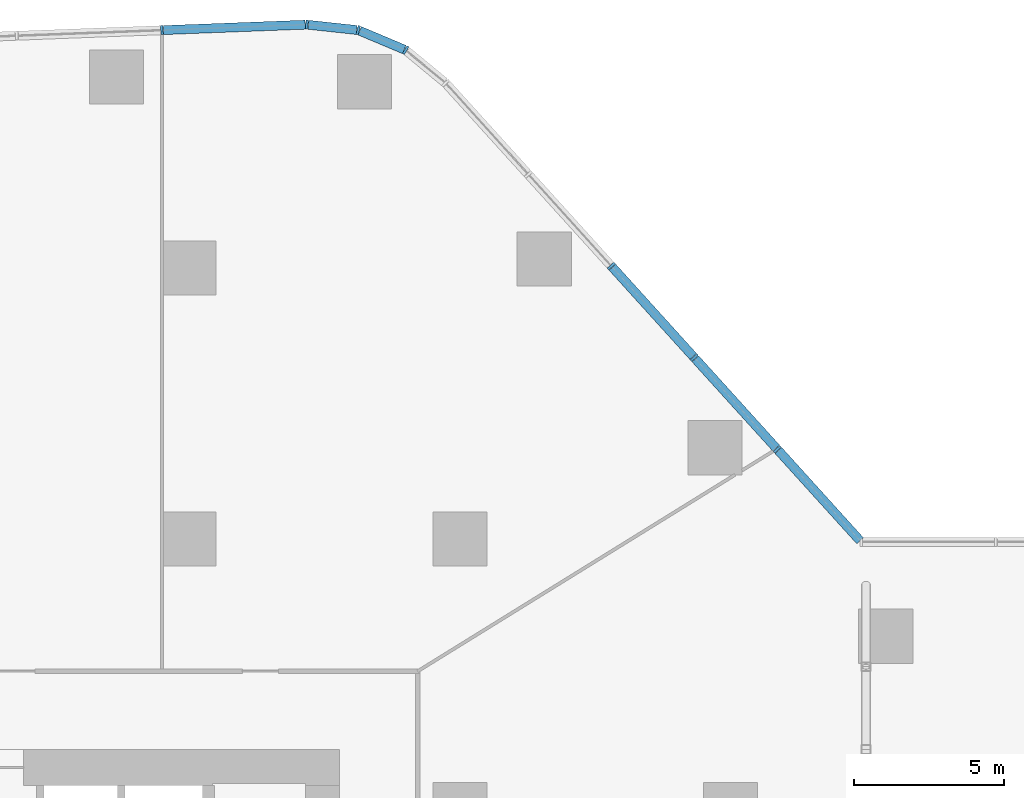
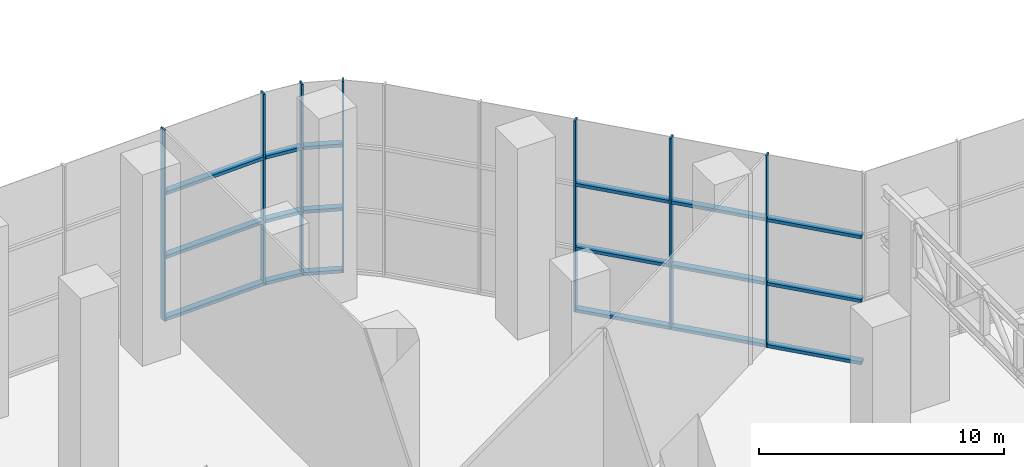
# One storey, part 10 of 21: 25 members, 3 elements without a shape of their own.
"""IFC4 building model written with IfcOpenShell, lengths in metres."""

from ifc_helpers import new_model, si_unit, direction, frame, origin, origin_2d, place, context, subcontext, project, spatial, rectangle, extrude, material, layer, layer_set, material_profile, profile_set, type_object, element, aggregate, save


model = new_model("IFC4")

# Units and contexts
model_context = context("Model", 3, precision=1e-05, world=origin(), true_north=direction((0.0, 1.0)))
body_context = subcontext(model_context, "Body", "Model", "MODEL_VIEW")
ifc_project = project(units=[si_unit("LENGTHUNIT", "METRE"), si_unit("AREAUNIT", "SQUARE_METRE"), si_unit("VOLUMEUNIT", "CUBIC_METRE"), si_unit("PLANEANGLEUNIT", "RADIAN"), si_unit("MASSUNIT", "GRAM", prefix="KILO")], contexts=[model_context])

# Site, building, storey
site_placement = place(None, origin())
site = spatial("IfcSite", under=ifc_project, at=site_placement, CompositionType="ELEMENT")
building_placement = place(site_placement, origin())
building = spatial("IfcBuilding", under=site, at=building_placement, Name="Dongbaek Canopy Tower", CompositionType="ELEMENT")
storey_placement = place(building_placement, frame((0.0, 0.0, 9.0)))
storey = spatial("IfcBuildingStorey", under=building, at=storey_placement, Name="L01", CompositionType="ELEMENT", Elevation=9.0)

# Curtain wall, members
ifc_material_1 = material(Name="Aluminium 6063-T6 pale anodised", Category="aluminium")
ifc_layer = layer(ifc_material_1, 0.300048828125)
ifc_layer_set = layer_set([ifc_layer], Name="CW-2 podium hall curtain wall")
curtain_wall_type = type_object("IfcCurtainWallType", Name="CW-2 podium hall curtain wall", PredefinedType="NOTDEFINED", material=ifc_layer_set)
curtain_wall_1_placement = place(storey_placement, origin())
curtain_wall_1 = element("IfcCurtainWall", 1, at=curtain_wall_1_placement, inside=storey, type_object=curtain_wall_type, Name="CW-2 curtain wall F5.1", PredefinedType="NOTDEFINED")
ifc_material_2 = material(Name="Aluminium 6063-T6 pale anodised", Category="aluminium")
ifc_material_profile_1 = material_profile(ifc_material_2, rectangle(XDim=0.300048828125, YDim=0.080078125, at=origin_2d()), Name="CW-2 mullion 80 x 300")
ifc_profile_set_1 = profile_set([ifc_material_profile_1], Name="Aluminium 6063-T6 pale anodised")
member_type_1 = type_object("IfcMemberType", Name="CW-2 mullion 80 x 300", PredefinedType="MULLION", material=ifc_profile_set_1)
member_1_placement = place(storey_placement, frame((28.55126953125, 20.977783203125, 0.0), z_axis=(0.0, 0.0, 1.0), x_axis=(0.741222237121, 0.671259707711, 0.0)))
member_1 = element("IfcMember", 2, at=member_1_placement, type_object=member_type_1, Name="CW-2 mullion F5.1.2", PredefinedType="MULLION", context=body_context, shape_type="SweptSolid", body=[
    extrude(rectangle(XDim=0.300048828125, YDim=0.080078125, at=origin_2d()), origin(), (0.0, 0.0, 1.0), 9.550048828125),
])
member_2_placement = place(storey_placement, frame((25.793701171875, 24.022705078125, 0.0), z_axis=(0.0, 0.0, 1.0), x_axis=(0.741222237121, 0.671259707711, 0.0)))
member_2 = element("IfcMember", 3, at=member_2_placement, type_object=member_type_1, Name="CW-2 mullion F5.1.3", PredefinedType="MULLION", context=body_context, shape_type="SweptSolid", body=[
    extrude(rectangle(XDim=0.300048828125, YDim=0.080078125, at=origin_2d()), origin(), (0.0, 0.0, 1.0), 9.550048828125),
])
member_3_placement = place(storey_placement, frame((23.036376953125, 27.0673828125, 0.0), z_axis=(0.0, 0.0, 1.0), x_axis=(0.741222237121, 0.671259707711, 0.0)))
member_3 = element("IfcMember", 4, at=member_3_placement, type_object=member_type_1, Name="CW-2 mullion F5.1.4", PredefinedType="MULLION", context=body_context, shape_type="SweptSolid", body=[
    extrude(rectangle(XDim=0.300048828125, YDim=0.080078125, at=origin_2d()), origin(), (0.0, 0.0, 1.0), 9.550048828125),
])

curtain_wall_2_placement = place(storey_placement, origin())
curtain_wall_2 = element("IfcCurtainWall", 5, at=curtain_wall_2_placement, inside=storey, type_object=curtain_wall_type, Name="CW-2 curtain wall K1.1", PredefinedType="NOTDEFINED")
member_4_placement = place(storey_placement, frame((16.200439453125, 34.24462890625, 0.0), z_axis=(0.0, 0.0, 1.0), x_axis=(0.517430788753, 0.855725060315, 0.0)))
member_4 = element("IfcMember", 6, at=member_4_placement, type_object=member_type_1, Name="CW-2 mullion K1.1.2", PredefinedType="MULLION", context=body_context, shape_type="SweptSolid", body=[
    extrude(rectangle(XDim=0.300048828125, YDim=0.080078125, at=origin_2d()), origin(), (0.0, 0.0, 1.0), 9.550048828125),
])
member_5_placement = place(storey_placement, frame((14.62353515625, 34.908203125, 0.0), z_axis=(0.0, 0.0, 1.0), x_axis=(0.250118115276, 0.968215331634, 0.0)))
member_5 = element("IfcMember", 7, at=member_5_placement, type_object=member_type_1, Name="CW-2 mullion K1.1.3", PredefinedType="MULLION", context=body_context, shape_type="SweptSolid", body=[
    extrude(rectangle(XDim=0.300048828125, YDim=0.080078125, at=origin_2d()), origin(), (0.0, 0.0, 1.0), 9.550048828125),
])
member_6_placement = place(storey_placement, frame((12.915283203125, 35.092041015625, 0.0), z_axis=(0.0, 0.0, 1.0), x_axis=(0.107074580622, 0.994250991543, 0.0)))
member_6 = element("IfcMember", 8, at=member_6_placement, type_object=member_type_1, Name="CW-2 mullion K1.1.4", PredefinedType="MULLION", context=body_context, shape_type="SweptSolid", body=[
    extrude(rectangle(XDim=0.300048828125, YDim=0.080078125, at=origin_2d()), origin(), (0.0, 0.0, 1.0), 9.550048828125),
])

# Curtain wall, member
curtain_wall_3_placement = place(storey_placement, origin())
curtain_wall_3 = element("IfcCurtainWall", 9, at=curtain_wall_3_placement, inside=storey, type_object=curtain_wall_type, Name="CW-2 curtain wall F6.1", PredefinedType="NOTDEFINED")
member_7_placement = place(storey_placement, frame((8.0986328125, 34.907958984375, 0.0), z_axis=(0.0, 0.0, 1.0), x_axis=(-0.038231975991, 0.999268890746, 0.0)))
member_7 = element("IfcMember", 10, at=member_7_placement, type_object=member_type_1, Name="CW-2 mullion F6.1.2", PredefinedType="MULLION", context=body_context, shape_type="SweptSolid", body=[
    extrude(rectangle(XDim=0.300048828125, YDim=0.080078125, at=origin_2d()), origin(), (0.0, 0.0, 1.0), 9.550048828125),
])

# Member
ifc_material_3 = material(Name="Aluminium 6063-T6 pale anodised", Category="aluminium")
ifc_material_profile_2 = material_profile(ifc_material_3, rectangle(XDim=0.300048828125, YDim=0.159912109375, at=origin_2d()), Name="CW-2 transom 160 x 300")
ifc_profile_set_2 = profile_set([ifc_material_profile_2], Name="Aluminium 6063-T6 pale anodised")
member_type_2 = type_object("IfcMemberType", Name="CW-2 transom 160 x 300", PredefinedType="USERDEFINED", material=ifc_profile_set_2)
member_8_placement = place(storey_placement, frame((31.303466796875, 17.9384765625, 0.080078125), z_axis=(-0.671230670319, 0.741248532695, 0.0), x_axis=(-0.741248532695, -0.671230670319, 0.0)))
member_8 = element("IfcMember", 11, at=member_8_placement, type_object=member_type_2, Name="CW-2 transom F5.1.1.1", ObjectType="TRANSOM", PredefinedType="USERDEFINED", context=body_context, shape_type="SweptSolid", body=[
    extrude(rectangle(XDim=0.300048828125, YDim=0.159912109375, at=origin_2d()), origin(), (0.0, 0.0, 1.0), 4.048095703125),
])

member_9_placement = place(storey_placement, frame((31.303466796875, 17.9384765625, 3.183349609375), z_axis=(-0.671230670319, 0.741248532695, 0.0), x_axis=(-0.741248532695, -0.671230670319, 0.0)))
member_9 = element("IfcMember", 12, at=member_9_placement, type_object=member_type_2, Name="CW-2 transom F5.1.1.2", ObjectType="TRANSOM", PredefinedType="USERDEFINED", context=body_context, shape_type="SweptSolid", body=[
    extrude(rectangle(XDim=0.300048828125, YDim=0.159912109375, at=origin_2d()), origin(), (0.0, 0.0, 1.0), 4.048095703125),
])

member_10_placement = place(storey_placement, frame((31.303466796875, 17.9384765625, 6.36669921875), z_axis=(-0.671230670319, 0.741248532695, 0.0), x_axis=(-0.741248532695, -0.671230670319, 0.0)))
member_10 = element("IfcMember", 13, at=member_10_placement, type_object=member_type_2, Name="CW-2 transom F5.1.1.3", ObjectType="TRANSOM", PredefinedType="USERDEFINED", context=body_context, shape_type="SweptSolid", body=[
    extrude(rectangle(XDim=0.300048828125, YDim=0.159912109375, at=origin_2d()), origin(), (0.0, 0.0, 1.0), 4.048095703125),
])

member_11_placement = place(storey_placement, frame((28.516357421875, 21.016357421875, 0.080078125), z_axis=(-0.671272480053, 0.741210670136, 0.0), x_axis=(-0.741210670136, -0.671272480053, 0.0)))
member_11 = element("IfcMember", 14, at=member_11_placement, type_object=member_type_2, Name="CW-2 transom F5.1.2.1", ObjectType="TRANSOM", PredefinedType="USERDEFINED", context=body_context, shape_type="SweptSolid", body=[
    extrude(rectangle(XDim=0.300048828125, YDim=0.159912109375, at=origin_2d()), origin(), (0.0, 0.0, 1.0), 4.00390625),
])

member_12_placement = place(storey_placement, frame((28.516357421875, 21.016357421875, 3.183349609375), z_axis=(-0.671272480053, 0.741210670136, 0.0), x_axis=(-0.741210670136, -0.671272480053, 0.0)))
member_12 = element("IfcMember", 15, at=member_12_placement, type_object=member_type_2, Name="CW-2 transom F5.1.2.2", ObjectType="TRANSOM", PredefinedType="USERDEFINED", context=body_context, shape_type="SweptSolid", body=[
    extrude(rectangle(XDim=0.300048828125, YDim=0.159912109375, at=origin_2d()), origin(), (0.0, 0.0, 1.0), 4.00390625),
])

member_13_placement = place(storey_placement, frame((28.516357421875, 21.016357421875, 6.36669921875), z_axis=(-0.671272480053, 0.741210670136, 0.0), x_axis=(-0.741210670136, -0.671272480053, 0.0)))
member_13 = element("IfcMember", 16, at=member_13_placement, type_object=member_type_2, Name="CW-2 transom F5.1.2.3", ObjectType="TRANSOM", PredefinedType="USERDEFINED", context=body_context, shape_type="SweptSolid", body=[
    extrude(rectangle(XDim=0.300048828125, YDim=0.159912109375, at=origin_2d()), origin(), (0.0, 0.0, 1.0), 4.00390625),
])

member_14_placement = place(storey_placement, frame((25.7587890625, 24.06103515625, 0.080078125), z_axis=(-0.671238978807, 0.741241008937, 0.0), x_axis=(-0.741241008937, -0.671238978807, 0.0)))
member_14 = element("IfcMember", 17, at=member_14_placement, type_object=member_type_2, Name="CW-2 transom F5.1.3.1", ObjectType="TRANSOM", PredefinedType="USERDEFINED", context=body_context, shape_type="SweptSolid", body=[
    extrude(rectangle(XDim=0.300048828125, YDim=0.159912109375, at=origin_2d()), origin(), (0.0, 0.0, 1.0), 4.00390625),
])

member_15_placement = place(storey_placement, frame((25.7587890625, 24.06103515625, 3.183349609375), z_axis=(-0.671238978807, 0.741241008937, 0.0), x_axis=(-0.741241008937, -0.671238978807, 0.0)))
member_15 = element("IfcMember", 18, at=member_15_placement, type_object=member_type_2, Name="CW-2 transom F5.1.3.2", ObjectType="TRANSOM", PredefinedType="USERDEFINED", context=body_context, shape_type="SweptSolid", body=[
    extrude(rectangle(XDim=0.300048828125, YDim=0.159912109375, at=origin_2d()), origin(), (0.0, 0.0, 1.0), 4.00390625),
])

member_16_placement = place(storey_placement, frame((25.7587890625, 24.06103515625, 6.36669921875), z_axis=(-0.671238978807, 0.741241008937, 0.0), x_axis=(-0.741241008937, -0.671238978807, 0.0)))
member_16 = element("IfcMember", 19, at=member_16_placement, type_object=member_type_2, Name="CW-2 transom F5.1.3.3", ObjectType="TRANSOM", PredefinedType="USERDEFINED", context=body_context, shape_type="SweptSolid", body=[
    extrude(rectangle(XDim=0.300048828125, YDim=0.159912109375, at=origin_2d()), origin(), (0.0, 0.0, 1.0), 4.00390625),
])

aggregate(curtain_wall_1, [member_1, member_2, member_3, member_8, member_9, member_10, member_11, member_12, member_13, member_14, member_15, member_16])

member_17_placement = place(storey_placement, frame((16.152587890625, 34.264892578125, 0.080078125), z_axis=(-0.921749747105, 0.387785254634, 0.0), x_axis=(-0.387785254634, -0.921749747105, 0.0)))
member_17 = element("IfcMember", 20, at=member_17_placement, type_object=member_type_2, Name="CW-2 transom K1.1.2.1", ObjectType="TRANSOM", PredefinedType="USERDEFINED", context=body_context, shape_type="SweptSolid", body=[
    extrude(rectangle(XDim=0.300048828125, YDim=0.159912109375, at=origin_2d()), origin(), (0.0, 0.0, 1.0), 1.606689453125),
])

member_18_placement = place(storey_placement, frame((16.152587890625, 34.264892578125, 3.183349609375), z_axis=(-0.921749747105, 0.387785254634, 0.0), x_axis=(-0.387785254634, -0.921749747105, 0.0)))
member_18 = element("IfcMember", 21, at=member_18_placement, type_object=member_type_2, Name="CW-2 transom K1.1.2.2", ObjectType="TRANSOM", PredefinedType="USERDEFINED", context=body_context, shape_type="SweptSolid", body=[
    extrude(rectangle(XDim=0.300048828125, YDim=0.159912109375, at=origin_2d()), origin(), (0.0, 0.0, 1.0), 1.606689453125),
])

member_19_placement = place(storey_placement, frame((16.152587890625, 34.264892578125, 6.36669921875), z_axis=(-0.921749747105, 0.387785254634, 0.0), x_axis=(-0.387785254634, -0.921749747105, 0.0)))
member_19 = element("IfcMember", 22, at=member_19_placement, type_object=member_type_2, Name="CW-2 transom K1.1.2.3", ObjectType="TRANSOM", PredefinedType="USERDEFINED", context=body_context, shape_type="SweptSolid", body=[
    extrude(rectangle(XDim=0.300048828125, YDim=0.159912109375, at=origin_2d()), origin(), (0.0, 0.0, 1.0), 1.606689453125),
])

member_20_placement = place(storey_placement, frame((14.572021484375, 34.913818359375, 0.080078125), z_axis=(-0.994250644842, 0.107077799901, 0.0), x_axis=(-0.107077799901, -0.994250644842, 0.0)))
member_20 = element("IfcMember", 23, at=member_20_placement, type_object=member_type_2, Name="CW-2 transom K1.1.3.1", ObjectType="TRANSOM", PredefinedType="USERDEFINED", context=body_context, shape_type="SweptSolid", body=[
    extrude(rectangle(XDim=0.300048828125, YDim=0.159912109375, at=origin_2d()), origin(), (0.0, 0.0, 1.0), 1.6142578125),
])

member_21_placement = place(storey_placement, frame((14.572021484375, 34.913818359375, 3.183349609375), z_axis=(-0.994250644842, 0.107077799901, 0.0), x_axis=(-0.107077799901, -0.994250644842, 0.0)))
member_21 = element("IfcMember", 24, at=member_21_placement, type_object=member_type_2, Name="CW-2 transom K1.1.3.2", ObjectType="TRANSOM", PredefinedType="USERDEFINED", context=body_context, shape_type="SweptSolid", body=[
    extrude(rectangle(XDim=0.300048828125, YDim=0.159912109375, at=origin_2d()), origin(), (0.0, 0.0, 1.0), 1.6142578125),
])

member_22_placement = place(storey_placement, frame((14.572021484375, 34.913818359375, 6.36669921875), z_axis=(-0.994250644842, 0.107077799901, 0.0), x_axis=(-0.107077799901, -0.994250644842, 0.0)))
member_22 = element("IfcMember", 25, at=member_22_placement, type_object=member_type_2, Name="CW-2 transom K1.1.3.3", ObjectType="TRANSOM", PredefinedType="USERDEFINED", context=body_context, shape_type="SweptSolid", body=[
    extrude(rectangle(XDim=0.300048828125, YDim=0.159912109375, at=origin_2d()), origin(), (0.0, 0.0, 1.0), 1.6142578125),
])

aggregate(curtain_wall_2, [member_4, member_5, member_6, member_17, member_18, member_19, member_20, member_21, member_22])

member_23_placement = place(storey_placement, frame((12.86328125, 35.090087890625, 0.080078125), z_axis=(-0.999269942085, -0.038204487243, 0.0), x_axis=(0.038204487243, -0.999269942085, 0.0)))
member_23 = element("IfcMember", 26, at=member_23_placement, type_object=member_type_2, Name="CW-2 transom F6.1.1.1", ObjectType="TRANSOM", PredefinedType="USERDEFINED", context=body_context, shape_type="SweptSolid", body=[
    extrude(rectangle(XDim=0.300048828125, YDim=0.159912109375, at=origin_2d()), origin(), (0.0, 0.0, 1.0), 4.716064453125),
])

member_24_placement = place(storey_placement, frame((12.86328125, 35.090087890625, 3.183349609375), z_axis=(-0.999269942085, -0.038204487243, 0.0), x_axis=(0.038204487243, -0.999269942085, 0.0)))
member_24 = element("IfcMember", 27, at=member_24_placement, type_object=member_type_2, Name="CW-2 transom F6.1.1.2", ObjectType="TRANSOM", PredefinedType="USERDEFINED", context=body_context, shape_type="SweptSolid", body=[
    extrude(rectangle(XDim=0.300048828125, YDim=0.159912109375, at=origin_2d()), origin(), (0.0, 0.0, 1.0), 4.716064453125),
])

member_25_placement = place(storey_placement, frame((12.86328125, 35.090087890625, 6.36669921875), z_axis=(-0.999269942085, -0.038204487243, 0.0), x_axis=(0.038204487243, -0.999269942085, 0.0)))
member_25 = element("IfcMember", 28, at=member_25_placement, type_object=member_type_2, Name="CW-2 transom F6.1.1.3", ObjectType="TRANSOM", PredefinedType="USERDEFINED", context=body_context, shape_type="SweptSolid", body=[
    extrude(rectangle(XDim=0.300048828125, YDim=0.159912109375, at=origin_2d()), origin(), (0.0, 0.0, 1.0), 4.716064453125),
])

aggregate(curtain_wall_3, [member_7, member_23, member_24, member_25])

save(model, "model.ifc")
